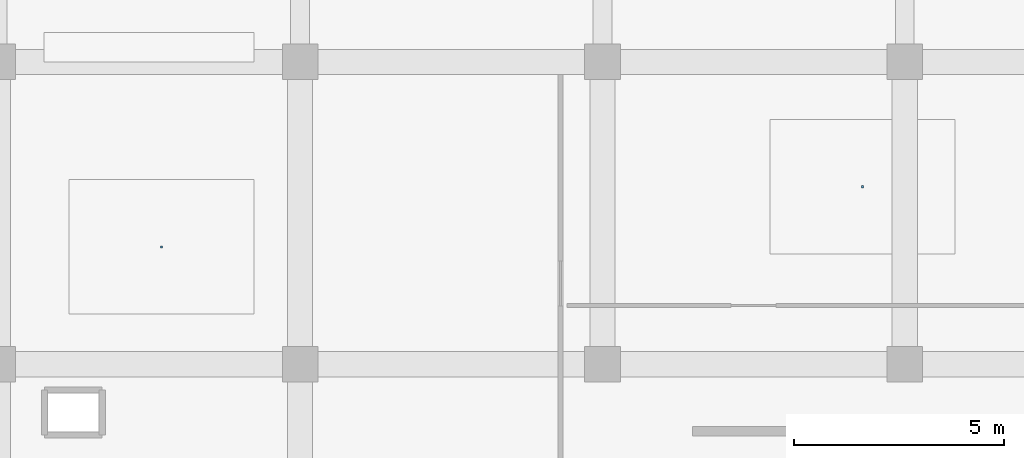
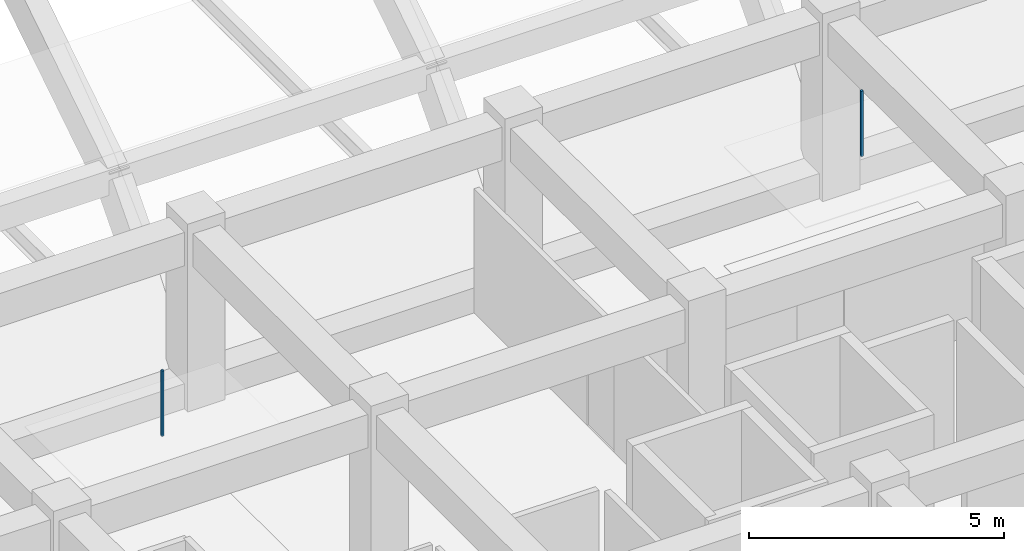
# One storey, part 37 of 48: 2 discrete accessories.
"""IFC4 building model written with IfcOpenShell, lengths in metres."""

from ifc_helpers import new_model, si_unit, direction, frame, origin, origin_2d, place, context, subcontext, project, spatial, rectangle, extrude, material, type_object, element, save


model = new_model("IFC4")

# Units and contexts
model_context = context("Model", 3, precision=1e-05, world=origin(), true_north=direction((0.0, 1.0)))
body_context = subcontext(model_context, "Body", "Model", "MODEL_VIEW")
ifc_project = project(units=[si_unit("LENGTHUNIT", "METRE"), si_unit("AREAUNIT", "SQUARE_METRE"), si_unit("VOLUMEUNIT", "CUBIC_METRE"), si_unit("PLANEANGLEUNIT", "RADIAN"), si_unit("MASSUNIT", "GRAM", prefix="KILO")], contexts=[model_context])

# Site, building, storey
site_placement = place(None, origin())
site = spatial("IfcSite", under=ifc_project, at=site_placement, CompositionType="ELEMENT")
building_placement = place(site_placement, origin())
building = spatial("IfcBuilding", under=site, at=building_placement, Name="Kazehaya Institute of Natural Sciences", CompositionType="ELEMENT")
storey_placement = place(building_placement, frame((0.0, 0.0, 19.800048828125)))
storey = spatial("IfcBuildingStorey", under=building, at=storey_placement, Name="L04", CompositionType="ELEMENT", Elevation=19.800048828125)

# Discrete accessories
ifc_material = material(Name="Structural steel SN490B", Category="steel")
discrete_accessory_type = type_object("IfcDiscreteAccessoryType", Name="ACC-CLG-HGR", PredefinedType="BRACKET", material=ifc_material)
for number, where, z_axis, x_axis, name in (
    (1, (87.302001953125, 31.19580078125, 2.8525390625), (0.0, 0.0, 1.0), (1.0, 0.0, 0.0), "L04 ceiling suspension hanger 43"),
    (2, (103.989990234375, 32.625, 2.8525390625), (0.0, 0.0, 1.0), (1.0, 0.0, 0.0), "L04 ceiling suspension hanger 44"),
):
    element("IfcDiscreteAccessory", number, at=place(storey_placement, frame(where, z_axis=z_axis, x_axis=x_axis)), inside=storey, type_object=discrete_accessory_type, Name=name, PredefinedType="BRACKET", context=body_context, shape_type="SweptSolid", body=[
        extrude(rectangle(XDim=0.050048828125, YDim=0.050048828125, at=origin_2d()), origin(), (0.0, 0.0, 1.0), 1.5673828125),
    ])

save(model, "model.ifc")
